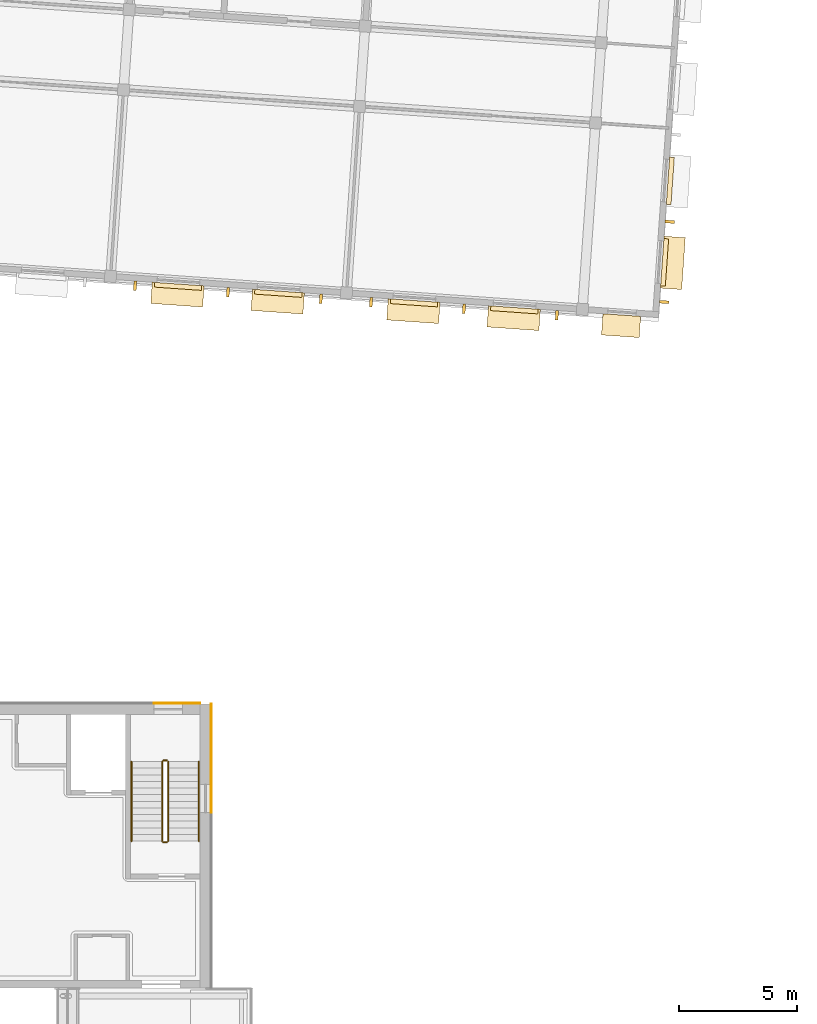
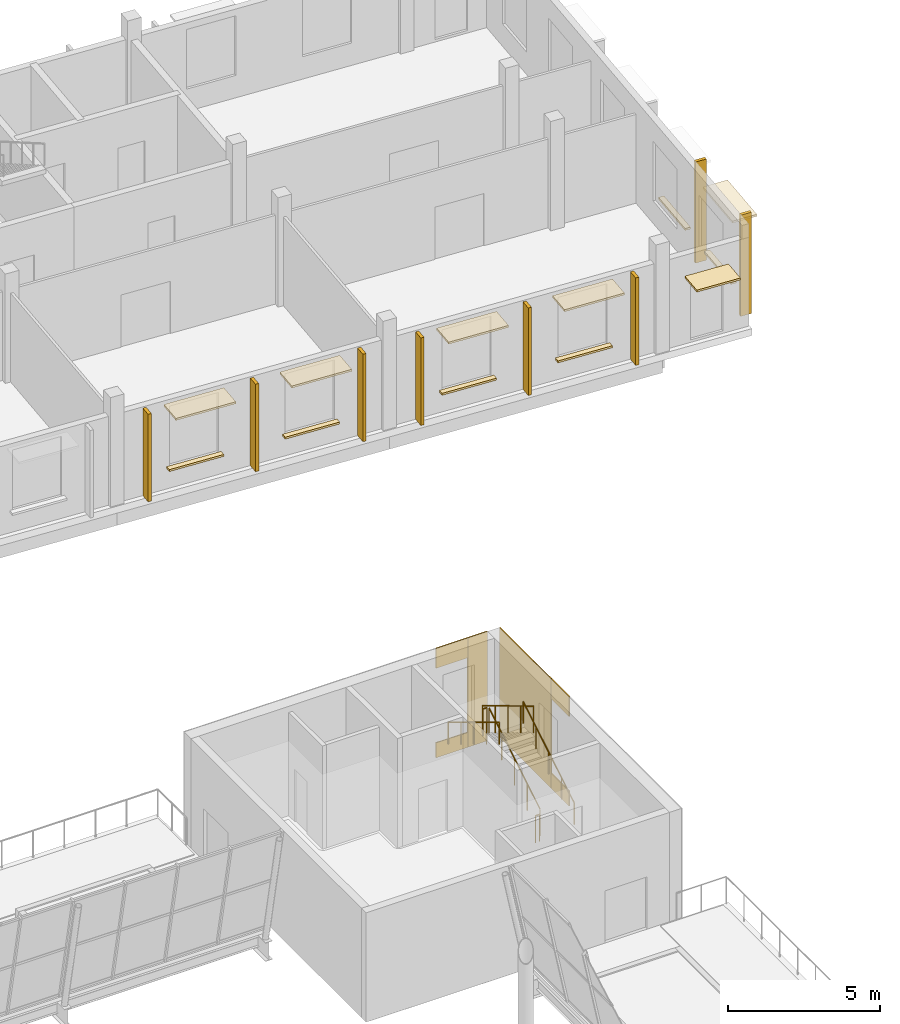
# One storey, part 54 of 58: 18 coverings, 8 shading devices, 6 railings.
"""IFC4 building model written with IfcOpenShell, lengths in metres."""

from ifc_helpers import new_model, si_unit, direction, frame, origin, origin_2d, place, context, subcontext, project, spatial, polyline, circle, outline, extrude, material, layer, layer_set, type_object, element, save


model = new_model("IFC4")

# Units and contexts
model_context = context("Model", 3, precision=1e-05, world=origin(), true_north=direction((0.0, 1.0)))
body_context = subcontext(model_context, "Body", "Model", "MODEL_VIEW")
ifc_project = project(units=[si_unit("LENGTHUNIT", "METRE"), si_unit("AREAUNIT", "SQUARE_METRE"), si_unit("VOLUMEUNIT", "CUBIC_METRE"), si_unit("PLANEANGLEUNIT", "RADIAN"), si_unit("MASSUNIT", "GRAM", prefix="KILO")], contexts=[model_context])

# Site, building, storey
site_placement = place(None, origin())
site = spatial("IfcSite", under=ifc_project, at=site_placement, CompositionType="ELEMENT")
building_placement = place(site_placement, origin())
building = spatial("IfcBuilding", under=site, at=building_placement, Name="Windward Yard Aquatics Centre", CompositionType="ELEMENT")
storey_placement = place(building_placement, frame((0.0, 0.0, 13.800048828125)))
storey = spatial("IfcBuildingStorey", under=building, at=storey_placement, Name="L03", CompositionType="ELEMENT", Elevation=13.800048828125)

# Railings
ifc_material_1 = material(Name="Stainless steel 1.4529", Category="steel")
railing_type_1 = type_object("IfcRailingType", Name="H Guard Steel 1100", PredefinedType="GUARDRAIL", material=ifc_material_1)
railing_1_placement = place(storey_placement, frame((150.199951171875, 90.199951171875, 0.169189453125)))
element("IfcRailing", 1, at=railing_1_placement, inside=storey, type_object=railing_type_1, Name="L03 ST4 stair guard 1", PredefinedType="GUARDRAIL", context=body_context, shape_type="SweptSolid", body=[
    extrude(circle(Radius=0.02392578125, at=origin_2d()), frame((0.0, 0.0, 1.076171875), z_axis=(0.0, 0.855836976705, 0.517245656632), x_axis=(-1.0, 0.0, 0.0)), (0.0, 0.0, 1.0), 3.926025390625),
    extrude(circle(Radius=0.02099609375, at=origin_2d()), origin(), (0.0, 0.0, 1.0), 1.052001953125),
    extrude(circle(Radius=0.02099609375, at=origin_2d()), frame((0.0, 0.840087890625, 0.5078125)), (0.0, 0.0, 1.0), 1.052001953125),
    extrude(circle(Radius=0.02099609375, at=origin_2d()), frame((0.0, 1.68017578125, 1.015380859375)), (0.0, 0.0, 1.0), 1.052001953125),
    extrude(circle(Radius=0.02099609375, at=origin_2d()), frame((0.0, 2.52001953125, 1.52294921875)), (0.0, 0.0, 1.0), 1.052001953125),
    extrude(circle(Radius=0.02099609375, at=origin_2d()), frame((0.0, 3.360107421875, 2.03076171875)), (0.0, 0.0, 1.0), 1.052001953125),
])
railing_2_placement = place(storey_placement, frame((150.14990234375, 93.610107421875, 2.199951171875)))
element("IfcRailing", 2, at=railing_2_placement, inside=storey, type_object=railing_type_1, Name="L03 ST4 stair guard 2", PredefinedType="GUARDRAIL", context=body_context, shape_type="SweptSolid", body=[
    extrude(circle(Radius=0.02392578125, at=origin_2d()), frame((0.0, 0.0, 1.076171875), z_axis=(-1.0, 0.0, 0.0), x_axis=(0.0, -1.0, 0.0)), (0.0, 0.0, 1.0), 0.14990234375),
    extrude(circle(Radius=0.02099609375, at=origin_2d()), origin(), (0.0, 0.0, 1.0), 1.052001953125),
    extrude(circle(Radius=0.02099609375, at=origin_2d()), frame((-0.14990234375, 0.0, 0.0)), (0.0, 0.0, 1.0), 1.052001953125),
])
railing_3_placement = place(storey_placement, frame((149.949951171875, 93.56005859375, 2.369140625)))
element("IfcRailing", 3, at=railing_3_placement, inside=storey, type_object=railing_type_1, Name="L03 ST4 stair guard 3", PredefinedType="GUARDRAIL", context=body_context, shape_type="SweptSolid", body=[
    extrude(circle(Radius=0.02392578125, at=origin_2d()), frame((0.0, 0.0, 1.076171875), z_axis=(0.0, -0.855836976705, 0.517245656632), x_axis=(1.0, 0.0, 0.0)), (0.0, 0.0, 1.0), 3.926025390625),
    extrude(circle(Radius=0.02099609375, at=origin_2d()), origin(), (0.0, 0.0, 1.0), 1.052001953125),
    extrude(circle(Radius=0.02099609375, at=origin_2d()), frame((0.0, -0.840087890625, 0.5078125)), (0.0, 0.0, 1.0), 1.052001953125),
    extrude(circle(Radius=0.02099609375, at=origin_2d()), frame((0.0, -1.68017578125, 1.015380859375)), (0.0, 0.0, 1.0), 1.052001953125),
    extrude(circle(Radius=0.02099609375, at=origin_2d()), frame((0.0, -2.52001953125, 1.52294921875)), (0.0, 0.0, 1.0), 1.052001953125),
    extrude(circle(Radius=0.02099609375, at=origin_2d()), frame((0.0, -3.360107421875, 2.03076171875)), (0.0, 0.0, 1.0), 1.052001953125),
])
railing_4_placement = place(storey_placement, frame((150.14990234375, 90.14990234375, 0.0)))
element("IfcRailing", 4, at=railing_4_placement, inside=storey, type_object=railing_type_1, Name="L03 ST4 stair guard 4", PredefinedType="GUARDRAIL", context=body_context, shape_type="SweptSolid", body=[
    extrude(circle(Radius=0.02392578125, at=origin_2d()), frame((0.0, 0.0, 1.076171875), z_axis=(-1.0, 0.0, 0.0), x_axis=(0.0, -1.0, 0.0)), (0.0, 0.0, 1.0), 0.14990234375),
    extrude(circle(Radius=0.02099609375, at=origin_2d()), origin(), (0.0, 0.0, 1.0), 1.052001953125),
    extrude(circle(Radius=0.02099609375, at=origin_2d()), frame((-0.14990234375, 0.0, 0.0)), (0.0, 0.0, 1.0), 1.052001953125),
])
railing_type_2 = type_object("IfcRailingType", Name="H Handrail Steel 900", PredefinedType="HANDRAIL", material=ifc_material_1)
railing_5_placement = place(storey_placement, frame((151.5, 90.199951171875, 0.169189453125)))
element("IfcRailing", 5, at=railing_5_placement, inside=storey, type_object=railing_type_2, Name="L03 ST4 stair handrail 1", PredefinedType="HANDRAIL", context=body_context, shape_type="SweptSolid", body=[
    extrude(circle(Radius=0.02392578125, at=origin_2d()), frame((0.0, 0.0, 0.8759765625), z_axis=(0.0, 0.855836976705, 0.517245656632), x_axis=(-1.0, 0.0, 0.0)), (0.0, 0.0, 1.0), 3.926025390625),
    extrude(circle(Radius=0.02099609375, at=origin_2d()), origin(), (0.0, 0.0, 1.0), 0.851806640625),
    extrude(circle(Radius=0.02099609375, at=origin_2d()), frame((0.0, 0.840087890625, 0.5078125)), (0.0, 0.0, 1.0), 0.851806640625),
    extrude(circle(Radius=0.02099609375, at=origin_2d()), frame((0.0, 1.68017578125, 1.015380859375)), (0.0, 0.0, 1.0), 0.851806640625),
    extrude(circle(Radius=0.02099609375, at=origin_2d()), frame((0.0, 2.52001953125, 1.52294921875)), (0.0, 0.0, 1.0), 0.851806640625),
    extrude(circle(Radius=0.02099609375, at=origin_2d()), frame((0.0, 3.360107421875, 2.03076171875)), (0.0, 0.0, 1.0), 0.851806640625),
])
railing_6_placement = place(storey_placement, frame((148.64990234375, 93.56005859375, 2.369140625)))
element("IfcRailing", 6, at=railing_6_placement, inside=storey, type_object=railing_type_2, Name="L03 ST4 stair handrail 2", PredefinedType="HANDRAIL", context=body_context, shape_type="SweptSolid", body=[
    extrude(circle(Radius=0.02392578125, at=origin_2d()), frame((0.0, 0.0, 0.8759765625), z_axis=(0.0, -0.855836976705, 0.517245656632), x_axis=(1.0, 0.0, 0.0)), (0.0, 0.0, 1.0), 3.926025390625),
    extrude(circle(Radius=0.02099609375, at=origin_2d()), origin(), (0.0, 0.0, 1.0), 0.851806640625),
    extrude(circle(Radius=0.02099609375, at=origin_2d()), frame((0.0, -0.840087890625, 0.5078125)), (0.0, 0.0, 1.0), 0.851806640625),
    extrude(circle(Radius=0.02099609375, at=origin_2d()), frame((0.0, -1.68017578125, 1.015380859375)), (0.0, 0.0, 1.0), 0.851806640625),
    extrude(circle(Radius=0.02099609375, at=origin_2d()), frame((0.0, -2.52001953125, 1.52294921875)), (0.0, 0.0, 1.0), 0.851806640625),
    extrude(circle(Radius=0.02099609375, at=origin_2d()), frame((0.0, -3.360107421875, 2.03076171875)), (0.0, 0.0, 1.0), 0.851806640625),
])

# Coverings
ifc_material_2 = material(Name="Natural limestone cladding", Category="masonry")
ifc_layer_1 = layer(ifc_material_2, 0.0400390625)
ifc_layer_set_1 = layer_set([ifc_layer_1], Name="H natural stone cladding 40")
covering_type_1 = type_object("IfcCoveringType", Name="H natural stone cladding 40", PredefinedType="CLADDING", material=ifc_layer_set_1)
covering_1_placement = place(storey_placement, origin())
element("IfcCovering", 7, at=covering_1_placement, inside=storey, type_object=covering_type_1, Name="Stone cladding panel 26", PredefinedType="CLADDING", context=body_context, shape_type="SweptSolid", body=[
    extrude(outline(polyline([(152.0, 92.60009765625), (152.0400390625, 92.60009765625), (152.0400390625, 96.0), (152.0, 96.0), (152.0, 92.60009765625)])), origin(), (0.0, 0.0, 1.0), 4.39990234375),
])
covering_2_placement = place(storey_placement, origin())
element("IfcCovering", 8, at=covering_2_placement, inside=storey, type_object=covering_type_1, Name="Stone cladding panel 27", PredefinedType="CLADDING", context=body_context, shape_type="SweptSolid", body=[
    extrude(outline(polyline([(152.0, 91.39990234375), (152.0400390625, 91.39990234375), (152.0400390625, 92.60009765625), (152.0, 92.60009765625), (152.0, 91.39990234375)])), origin(), (0.0, 0.0, 1.0), 0.599853515625),
])
covering_3_placement = place(storey_placement, frame((0.0, 0.0, 3.599853515625)))
element("IfcCovering", 9, at=covering_3_placement, inside=storey, type_object=covering_type_1, Name="Stone cladding panel 28", PredefinedType="CLADDING", context=body_context, shape_type="SweptSolid", body=[
    extrude(outline(polyline([(152.0, 91.39990234375), (152.0400390625, 91.39990234375), (152.0400390625, 92.60009765625), (152.0, 92.60009765625), (152.0, 91.39990234375)])), origin(), (0.0, 0.0, 1.0), 0.800048828125),
])
covering_4_placement = place(storey_placement, origin())
element("IfcCovering", 10, at=covering_4_placement, inside=storey, type_object=covering_type_1, Name="Stone cladding panel 50", PredefinedType="CLADDING", context=body_context, shape_type="SweptSolid", body=[
    extrude(outline(polyline([(150.800048828125, 96.0), (150.800048828125, 96.0400390625), (151.550048828125, 96.0400390625), (151.550048828125, 96.0), (150.800048828125, 96.0)])), origin(), (0.0, 0.0, 1.0), 4.39990234375),
])
covering_5_placement = place(storey_placement, origin())
element("IfcCovering", 11, at=covering_5_placement, inside=storey, type_object=covering_type_1, Name="Stone cladding panel 51", PredefinedType="CLADDING", context=body_context, shape_type="SweptSolid", body=[
    extrude(outline(polyline([(149.60009765625, 96.0), (149.60009765625, 96.0400390625), (150.800048828125, 96.0400390625), (150.800048828125, 96.0), (149.60009765625, 96.0)])), origin(), (0.0, 0.0, 1.0), 0.599853515625),
])
covering_6_placement = place(storey_placement, frame((0.0, 0.0, 3.599853515625)))
element("IfcCovering", 12, at=covering_6_placement, inside=storey, type_object=covering_type_1, Name="Stone cladding panel 52", PredefinedType="CLADDING", context=body_context, shape_type="SweptSolid", body=[
    extrude(outline(polyline([(149.60009765625, 96.0), (149.60009765625, 96.0400390625), (150.800048828125, 96.0400390625), (150.800048828125, 96.0), (149.60009765625, 96.0)])), origin(), (0.0, 0.0, 1.0), 0.800048828125),
])

# Shading devices
ifc_material_3 = material(Name="Timber-look aluminium batten, powder coated", Category="wood")
shading_device_type = type_object("IfcShadingDeviceType", Name="W vertical fin 120x400", PredefinedType="USERDEFINED", material=ifc_material_3)
shading_device_1_placement = place(storey_placement, origin())
element("IfcShadingDevice", 13, at=shading_device_1_placement, inside=storey, type_object=shading_device_type, Name="Vertical fin W.FW.L03.E.0.3.1.1", ObjectType="FIN", PredefinedType="USERDEFINED", context=body_context, shape_type="SweptSolid", body=[
    extrude(outline(polyline([(170.968505859375, 112.943603515625), (170.976806640625, 113.063232421875), (171.375732421875, 113.035400390625), (171.367431640625, 112.915771484375), (170.968505859375, 112.943603515625)])), origin(), (0.0, 0.0, 1.0), 4.070068359375),
])
shading_device_2_placement = place(storey_placement, origin())
element("IfcShadingDevice", 14, at=shading_device_2_placement, inside=storey, type_object=shading_device_type, Name="Vertical fin W.FW.L03.E.0.3.2.1", ObjectType="FIN", PredefinedType="USERDEFINED", context=body_context, shape_type="SweptSolid", body=[
    extrude(outline(polyline([(171.20556640625, 116.335205078125), (171.2138671875, 116.455078125), (171.613037109375, 116.427001953125), (171.6044921875, 116.307373046875), (171.20556640625, 116.335205078125)])), origin(), (0.0, 0.0, 1.0), 4.070068359375),
])
shading_device_3_placement = place(storey_placement, origin())
element("IfcShadingDevice", 15, at=shading_device_3_placement, inside=storey, type_object=shading_device_type, Name="Vertical fin W.FW.L03.S.76.8.1.1", ObjectType="FIN", PredefinedType="USERDEFINED", context=body_context, shape_type="SweptSolid", body=[
    extrude(outline(polyline([(148.729248046875, 113.481201171875), (148.757080078125, 113.880126953125), (148.876953125, 113.871826171875), (148.84912109375, 113.472900390625), (148.729248046875, 113.481201171875)])), origin(), (0.0, 0.0, 1.0), 3.52001953125),
])
shading_device_4_placement = place(storey_placement, origin())
element("IfcShadingDevice", 16, at=shading_device_4_placement, inside=storey, type_object=shading_device_type, Name="Vertical fin W.FW.L03.S.76.8.2.1", ObjectType="FIN", PredefinedType="USERDEFINED", context=body_context, shape_type="SweptSolid", body=[
    extrude(outline(polyline([(152.6572265625, 113.20654296875), (152.68505859375, 113.60546875), (152.8046875, 113.59716796875), (152.77685546875, 113.197998046875), (152.6572265625, 113.20654296875)])), origin(), (0.0, 0.0, 1.0), 3.52001953125),
])
shading_device_5_placement = place(storey_placement, origin())
element("IfcShadingDevice", 17, at=shading_device_5_placement, inside=storey, type_object=shading_device_type, Name="Vertical fin W.FW.L03.S.76.8.3.1", ObjectType="FIN", PredefinedType="USERDEFINED", context=body_context, shape_type="SweptSolid", body=[
    extrude(outline(polyline([(156.5849609375, 112.931884765625), (156.61279296875, 113.330810546875), (156.732666015625, 113.322509765625), (156.70458984375, 112.923583984375), (156.5849609375, 112.931884765625)])), origin(), (0.0, 0.0, 1.0), 3.52001953125),
])
shading_device_6_placement = place(storey_placement, origin())
element("IfcShadingDevice", 18, at=shading_device_6_placement, inside=storey, type_object=shading_device_type, Name="Vertical fin W.FW.L03.S.86.8.1.1", ObjectType="FIN", PredefinedType="USERDEFINED", context=body_context, shape_type="SweptSolid", body=[
    extrude(outline(polyline([(158.704833984375, 112.78369140625), (158.732666015625, 113.1826171875), (158.8525390625, 113.17431640625), (158.82470703125, 112.775146484375), (158.704833984375, 112.78369140625)])), origin(), (0.0, 0.0, 1.0), 3.52001953125),
])
shading_device_7_placement = place(storey_placement, origin())
element("IfcShadingDevice", 19, at=shading_device_7_placement, inside=storey, type_object=shading_device_type, Name="Vertical fin W.FW.L03.S.86.8.2.1", ObjectType="FIN", PredefinedType="USERDEFINED", context=body_context, shape_type="SweptSolid", body=[
    extrude(outline(polyline([(162.6328125, 112.5087890625), (162.66064453125, 112.907958984375), (162.780517578125, 112.899658203125), (162.75244140625, 112.50048828125), (162.6328125, 112.5087890625)])), origin(), (0.0, 0.0, 1.0), 3.52001953125),
])
shading_device_8_placement = place(storey_placement, origin())
element("IfcShadingDevice", 20, at=shading_device_8_placement, inside=storey, type_object=shading_device_type, Name="Vertical fin W.FW.L03.S.86.8.3.1", ObjectType="FIN", PredefinedType="USERDEFINED", context=body_context, shape_type="SweptSolid", body=[
    extrude(outline(polyline([(166.560791015625, 112.234130859375), (166.588623046875, 112.63330078125), (166.708251953125, 112.625), (166.680419921875, 112.225830078125), (166.560791015625, 112.234130859375)])), origin(), (0.0, 0.0, 1.0), 3.52001953125),
])

# Coverings
ifc_material_4 = material(Name="Aluminium composite hood, powder coated", Category="aluminium")
ifc_layer_2 = layer(ifc_material_4, 0.080078125)
ifc_layer_set_2 = layer_set([ifc_layer_2], Name="W window hood aluminium 1600x900")
covering_type_2 = type_object("IfcCoveringType", Name="W window hood aluminium 1600x900", PredefinedType="CLADDING", material=ifc_layer_set_2)
covering_7_placement = place(storey_placement, frame((0.0, 0.0, 2.64990234375)))
element("IfcCovering", 21, at=covering_7_placement, inside=storey, type_object=covering_type_2, Name="Window hood W3509", PredefinedType="CLADDING", context=body_context, shape_type="SweptSolid", body=[
    extrude(outline(polyline([(168.518310546875, 111.59619140625), (168.581298828125, 112.493896484375), (170.177490234375, 112.38232421875), (170.114501953125, 111.484619140625), (168.518310546875, 111.59619140625)])), origin(), (0.0, 0.0, 1.0), 0.080078125),
])
ifc_layer_3 = layer(ifc_material_4, 0.080078125)
ifc_layer_set_3 = layer_set([ifc_layer_3], Name="W window hood aluminium 2200x900")
covering_type_3 = type_object("IfcCoveringType", Name="W window hood aluminium 2200x900", PredefinedType="CLADDING", material=ifc_layer_set_3)
covering_8_placement = place(storey_placement, frame((0.0, 0.0, 3.349853515625)))
element("IfcCovering", 22, at=covering_8_placement, inside=storey, type_object=covering_type_3, Name="Window hood W3517", PredefinedType="CLADDING", context=body_context, shape_type="SweptSolid", body=[
    extrude(outline(polyline([(171.0126953125, 113.576904296875), (171.166259765625, 115.771728515625), (172.06396484375, 115.708984375), (171.910400390625, 113.514404296875), (171.0126953125, 113.576904296875)])), origin(), (0.0, 0.0, 1.0), 0.080078125),
])
covering_9_placement = place(storey_placement, frame((0.0, 0.0, 3.349853515625)))
element("IfcCovering", 23, at=covering_9_placement, inside=storey, type_object=covering_type_3, Name="Window hood W3505", PredefinedType="CLADDING", context=body_context, shape_type="SweptSolid", body=[
    extrude(outline(polyline([(149.465087890625, 112.928466796875), (149.52783203125, 113.826416015625), (151.722412109375, 113.6728515625), (151.65966796875, 112.77490234375), (149.465087890625, 112.928466796875)])), origin(), (0.0, 0.0, 1.0), 0.080078125),
])
covering_10_placement = place(storey_placement, frame((0.0, 0.0, 3.349853515625)))
element("IfcCovering", 24, at=covering_10_placement, inside=storey, type_object=covering_type_3, Name="Window hood W3506", PredefinedType="CLADDING", context=body_context, shape_type="SweptSolid", body=[
    extrude(outline(polyline([(153.70458984375, 112.632080078125), (153.767333984375, 113.52978515625), (155.962158203125, 113.37646484375), (155.8994140625, 112.478515625), (153.70458984375, 112.632080078125)])), origin(), (0.0, 0.0, 1.0), 0.080078125),
])
covering_11_placement = place(storey_placement, frame((0.0, 0.0, 3.349853515625)))
element("IfcCovering", 25, at=covering_11_placement, inside=storey, type_object=covering_type_3, Name="Window hood W3507", PredefinedType="CLADDING", context=body_context, shape_type="SweptSolid", body=[
    extrude(outline(polyline([(159.440673828125, 112.23095703125), (159.50341796875, 113.128662109375), (161.697998046875, 112.975341796875), (161.63525390625, 112.077392578125), (159.440673828125, 112.23095703125)])), origin(), (0.0, 0.0, 1.0), 0.080078125),
])
covering_12_placement = place(storey_placement, frame((0.0, 0.0, 3.349853515625)))
element("IfcCovering", 26, at=covering_12_placement, inside=storey, type_object=covering_type_3, Name="Window hood W3508", PredefinedType="CLADDING", context=body_context, shape_type="SweptSolid", body=[
    extrude(outline(polyline([(163.68017578125, 111.934326171875), (163.742919921875, 112.832275390625), (165.937744140625, 112.6787109375), (165.875, 111.781005859375), (163.68017578125, 111.934326171875)])), origin(), (0.0, 0.0, 1.0), 0.080078125),
])
ifc_material_5 = material(Name="Limestone sill", Category="masonry")
ifc_layer_4 = layer(ifc_material_5, 0.080078125)
ifc_layer_set_4 = layer_set([ifc_layer_4], Name="W window sill stone 2000x200")
covering_type_4 = type_object("IfcCoveringType", Name="W window sill stone 2000x200", PredefinedType="CLADDING", material=ifc_layer_set_4)
covering_13_placement = place(storey_placement, frame((0.0, 0.0, 0.820068359375)))
element("IfcCovering", 27, at=covering_13_placement, inside=storey, type_object=covering_type_4, Name="Window sill W3517", PredefinedType="CLADDING", context=body_context, shape_type="SweptSolid", body=[
    extrude(outline(polyline([(171.019775390625, 113.6767578125), (171.1591796875, 115.671875), (171.358642578125, 115.657958984375), (171.21923828125, 113.662841796875), (171.019775390625, 113.6767578125)])), origin(), (0.0, 0.0, 1.0), 0.079833984375),
])
covering_14_placement = place(storey_placement, frame((0.0, 0.0, 0.820068359375)))
element("IfcCovering", 28, at=covering_14_placement, inside=storey, type_object=covering_type_4, Name="Window sill W3518", PredefinedType="CLADDING", context=body_context, shape_type="SweptSolid", body=[
    extrude(outline(polyline([(171.26025390625, 117.118408203125), (171.39990234375, 119.113525390625), (171.599365234375, 119.099609375), (171.459716796875, 117.1044921875), (171.26025390625, 117.118408203125)])), origin(), (0.0, 0.0, 1.0), 0.079833984375),
])
covering_15_placement = place(storey_placement, frame((0.0, 0.0, 0.820068359375)))
element("IfcCovering", 29, at=covering_15_placement, inside=storey, type_object=covering_type_4, Name="Window sill W3505", PredefinedType="CLADDING", context=body_context, shape_type="SweptSolid", body=[
    extrude(outline(polyline([(149.613525390625, 113.619873046875), (149.62744140625, 113.8193359375), (151.62255859375, 113.6796875), (151.608642578125, 113.480224609375), (149.613525390625, 113.619873046875)])), origin(), (0.0, 0.0, 1.0), 0.079833984375),
])
covering_16_placement = place(storey_placement, frame((0.0, 0.0, 0.820068359375)))
element("IfcCovering", 30, at=covering_16_placement, inside=storey, type_object=covering_type_4, Name="Window sill W3506", PredefinedType="CLADDING", context=body_context, shape_type="SweptSolid", body=[
    extrude(outline(polyline([(153.853271484375, 113.323486328125), (153.8671875, 113.52294921875), (155.8623046875, 113.38330078125), (155.848388671875, 113.183837890625), (153.853271484375, 113.323486328125)])), origin(), (0.0, 0.0, 1.0), 0.079833984375),
])
covering_17_placement = place(storey_placement, frame((0.0, 0.0, 0.820068359375)))
element("IfcCovering", 31, at=covering_17_placement, inside=storey, type_object=covering_type_4, Name="Window sill W3507", PredefinedType="CLADDING", context=body_context, shape_type="SweptSolid", body=[
    extrude(outline(polyline([(159.589111328125, 112.922119140625), (159.60302734375, 113.12158203125), (161.59814453125, 112.982177734375), (161.584228515625, 112.78271484375), (159.589111328125, 112.922119140625)])), origin(), (0.0, 0.0, 1.0), 0.079833984375),
])
covering_18_placement = place(storey_placement, frame((0.0, 0.0, 0.820068359375)))
element("IfcCovering", 32, at=covering_18_placement, inside=storey, type_object=covering_type_4, Name="Window sill W3508", PredefinedType="CLADDING", context=body_context, shape_type="SweptSolid", body=[
    extrude(outline(polyline([(163.828857421875, 112.625732421875), (163.8427734375, 112.8251953125), (165.837890625, 112.685791015625), (165.823974609375, 112.486328125), (163.828857421875, 112.625732421875)])), origin(), (0.0, 0.0, 1.0), 0.079833984375),
])

save(model, "model.ifc")
